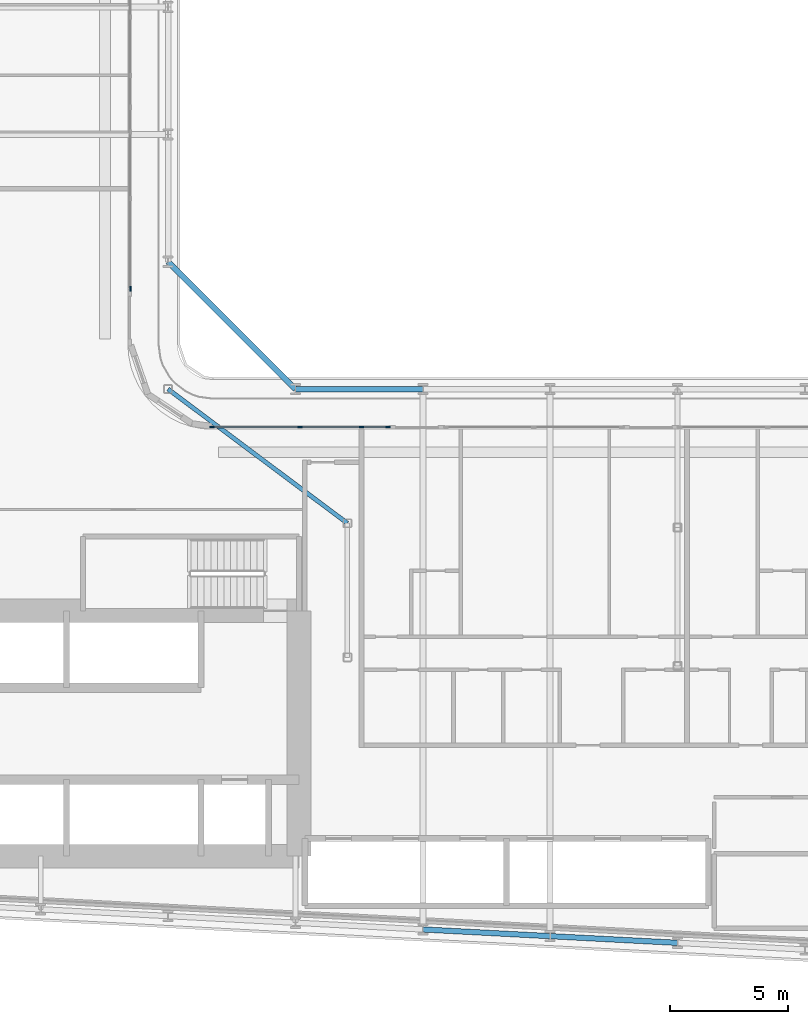
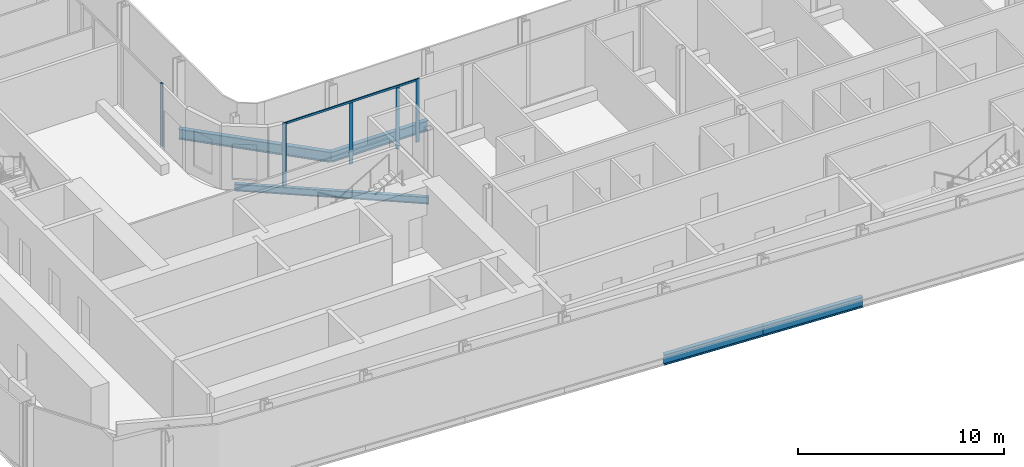
# One storey, part 4 of 25: 6 members, 5 beams, 2 elements without a shape of their own.
"""IFC4 building model written with IfcOpenShell, lengths in metres."""

from ifc_helpers import new_model, si_unit, direction, frame, origin, origin_2d, place, context, subcontext, project, spatial, rectangle, i_section, extrude, material, layer, layer_set, material_profile, profile_set, type_object, element, aggregate, save


model = new_model("IFC4")

# Units and contexts
model_context = context("Model", 3, precision=1e-05, world=origin(), true_north=direction((0.0, 1.0)))
body_context = subcontext(model_context, "Body", "Model", "MODEL_VIEW")
ifc_project = project(units=[si_unit("LENGTHUNIT", "METRE"), si_unit("AREAUNIT", "SQUARE_METRE"), si_unit("VOLUMEUNIT", "CUBIC_METRE"), si_unit("PLANEANGLEUNIT", "RADIAN"), si_unit("MASSUNIT", "GRAM", prefix="KILO")], contexts=[model_context])

# Site, building, storey
site_placement = place(None, origin())
site = spatial("IfcSite", under=ifc_project, at=site_placement, CompositionType="ELEMENT")
building_placement = place(site_placement, origin())
building = spatial("IfcBuilding", under=site, at=building_placement, Name="Kheshtan School and Residences Tower", CompositionType="ELEMENT")
storey_placement = place(building_placement, frame((0.0, 0.0, 34.39990234375)))
storey = spatial("IfcBuildingStorey", under=building, at=storey_placement, Name="L07", CompositionType="ELEMENT", Elevation=34.39990234375)

# Beams
ifc_material_1 = material(Name="Steel ASTM A992 Grade 50", Category="steel")
ifc_material_profile_1 = material_profile(ifc_material_1, i_section(OverallWidth=0.180908203125, OverallDepth=0.4169921875, WebThickness=0.010986328125, FlangeThickness=0.018310546875, FilletRadius=0.012451171875, at=origin_2d()), Name="W410x85")
ifc_profile_set_1 = profile_set([ifc_material_profile_1], Name="Steel ASTM A992 Grade 50")
beam_type_1 = type_object("IfcBeamType", Name="Beam FB3 W410x85 ASTM A992 Grade 50", PredefinedType="BEAM", material=ifc_profile_set_1)
beam_1_placement = place(storey_placement, frame((47.60009765625, 45.60009765625, -0.3583984375), z_axis=(0.800798828004, -0.598933416222, 0.0), x_axis=(0.598933416222, 0.800798828004, 0.0)))
element("IfcBeam", 1, at=beam_1_placement, inside=storey, type_object=beam_type_1, Name="Floor beam IC", PredefinedType="BEAM", context=body_context, shape_type="SweptSolid", body=[
    extrude(i_section(OverallWidth=0.180908203125, OverallDepth=0.4169921875, WebThickness=0.010986328125, FlangeThickness=0.018310546875, FilletRadius=0.012451171875, at=origin_2d()), origin(), (0.0, 0.0, 1.0), 9.490234375),
])
ifc_material_profile_2 = material_profile(ifc_material_1, i_section(OverallWidth=0.22998046875, OverallDepth=0.616943359375, WebThickness=0.01318359375, FlangeThickness=0.022216796875, FilletRadius=0.0185546875, at=origin_2d()), Name="W610x140")
ifc_profile_set_2 = profile_set([ifc_material_profile_2], Name="Steel ASTM A992 Grade 50")
beam_type_2 = type_object("IfcBeamType", Name="Beam SP1 W610x140 ASTM A992 Grade 50", PredefinedType="BEAM", material=ifc_profile_set_2)
beam_2_placement = place(storey_placement, frame((47.60009765625, 51.0, -0.45849609375), z_axis=(0.707106781187, -0.707106781187, 0.0), x_axis=(0.707106781187, 0.707106781187, 0.0)))
element("IfcBeam", 2, at=beam_2_placement, inside=storey, type_object=beam_type_2, Name="Spandrel beam C079-C061", PredefinedType="BEAM", context=body_context, shape_type="SweptSolid", body=[
    extrude(i_section(OverallWidth=0.22998046875, OverallDepth=0.616943359375, WebThickness=0.01318359375, FlangeThickness=0.022216796875, FilletRadius=0.0185546875, at=origin_2d()), origin(), (0.0, 0.0, 1.0), 7.63671875),
])
beam_3_placement = place(storey_placement, frame((53.0, 45.60009765625, -0.45849609375), z_axis=(1.0, 0.0, 0.0), x_axis=(0.0, 1.0, 0.0)))
element("IfcBeam", 3, at=beam_3_placement, inside=storey, type_object=beam_type_2, Name="Spandrel beam C061-C062", PredefinedType="BEAM", context=body_context, shape_type="SweptSolid", body=[
    extrude(i_section(OverallWidth=0.22998046875, OverallDepth=0.616943359375, WebThickness=0.01318359375, FlangeThickness=0.022216796875, FilletRadius=0.0185546875, at=origin_2d()), origin(), (0.0, 0.0, 1.0), 5.39990234375),
])
beam_4_placement = place(storey_placement, frame((69.199951171875, 22.126953125, -0.45849609375), z_axis=(-0.998620447272, 0.05250906864, 0.0), x_axis=(-0.05250906864, -0.998620447272, 0.0)))
element("IfcBeam", 4, at=beam_4_placement, inside=storey, type_object=beam_type_2, Name="Spandrel beam C014-C016", PredefinedType="BEAM", context=body_context, shape_type="SweptSolid", body=[
    extrude(i_section(OverallWidth=0.22998046875, OverallDepth=0.616943359375, WebThickness=0.01318359375, FlangeThickness=0.022216796875, FilletRadius=0.0185546875, at=origin_2d()), origin(), (0.0, 0.0, 1.0), 5.407470703125),
])
beam_5_placement = place(storey_placement, frame((63.800048828125, 22.410888671875, -0.45849609375), z_axis=(-0.998618203458, 0.052551724256, 0.0), x_axis=(-0.052551724256, -0.998618203458, 0.0)))
element("IfcBeam", 5, at=beam_5_placement, inside=storey, type_object=beam_type_2, Name="Spandrel beam C016-C018", PredefinedType="BEAM", context=body_context, shape_type="SweptSolid", body=[
    extrude(i_section(OverallWidth=0.22998046875, OverallDepth=0.616943359375, WebThickness=0.01318359375, FlangeThickness=0.022216796875, FilletRadius=0.0185546875, at=origin_2d()), origin(), (0.0, 0.0, 1.0), 5.40771484375),
])

# Curtain wall, member
ifc_material_2 = material(Name="Clear low-e glass in thermally broken aluminium frame", Category="aluminium")
ifc_layer = layer(ifc_material_2, 0.199951171875)
ifc_layer_set = layer_set([ifc_layer], Name="Curtain wall CW-L")
curtain_wall_type = type_object("IfcCurtainWallType", Name="Curtain wall CW-L", PredefinedType="NOTDEFINED", material=ifc_layer_set)
curtain_wall_1_placement = place(storey_placement, origin())
curtain_wall_1 = element("IfcCurtainWall", 6, at=curtain_wall_1_placement, inside=storey, type_object=curtain_wall_type, Name="Curtain wall CWL8c", PredefinedType="NOTDEFINED")
ifc_material_3 = material(Name="Thermally broken aluminium, dark bronze anodised", Category="aluminium")
ifc_material_profile_3 = material_profile(ifc_material_3, rectangle(XDim=0.06005859375, YDim=0.199951171875, at=origin_2d()), Name="CW-L mullion 60x200")
ifc_profile_set_3 = profile_set([ifc_material_profile_3], Name="Thermally broken aluminium, dark bronze anodised")
member_type_1 = type_object("IfcMemberType", Name="CW-L mullion 60x200", PredefinedType="MULLION", material=ifc_profile_set_3)
member_1_placement = place(storey_placement, frame((46.0, 49.860107421875, 0.0), z_axis=(0.0, 0.0, 1.0), x_axis=(1.0, 0.0, 0.0)))
member_1 = element("IfcMember", 7, at=member_1_placement, type_object=member_type_1, Name="CWL8c mullion 4", PredefinedType="MULLION", context=body_context, shape_type="SweptSolid", body=[
    extrude(rectangle(XDim=0.06005859375, YDim=0.199951171875, at=origin_2d()), origin(), (0.0, 0.0, 1.0), 3.75),
])
aggregate(curtain_wall_1, [member_1])

# Curtain wall, members
curtain_wall_2_placement = place(storey_placement, origin())
curtain_wall_2 = element("IfcCurtainWall", 8, at=curtain_wall_2_placement, inside=storey, type_object=curtain_wall_type, Name="Curtain wall CWL12", PredefinedType="NOTDEFINED")
member_2_placement = place(storey_placement, frame((49.4599609375, 44.0, 0.0), z_axis=(0.0, 0.0, 1.0), x_axis=(0.0, 1.0, 0.0)))
member_2 = element("IfcMember", 9, at=member_2_placement, type_object=member_type_1, Name="CWL12 mullion 1", PredefinedType="MULLION", context=body_context, shape_type="SweptSolid", body=[
    extrude(rectangle(XDim=0.06005859375, YDim=0.199951171875, at=origin_2d()), origin(), (0.0, 0.0, 1.0), 3.75),
])
member_3_placement = place(storey_placement, frame((53.188720703125, 44.0, 0.0), z_axis=(0.0, 0.0, 1.0), x_axis=(0.0, 1.0, 0.0)))
member_3 = element("IfcMember", 10, at=member_3_placement, type_object=member_type_1, Name="CWL12 mullion 2", PredefinedType="MULLION", context=body_context, shape_type="SweptSolid", body=[
    extrude(rectangle(XDim=0.06005859375, YDim=0.199951171875, at=origin_2d()), origin(), (0.0, 0.0, 1.0), 3.630126953125),
])
member_4_placement = place(storey_placement, frame((55.800048828125, 44.0, 0.0), z_axis=(0.0, 0.0, 1.0), x_axis=(0.0, 1.0, 0.0)))
member_4 = element("IfcMember", 11, at=member_4_placement, type_object=member_type_1, Name="CWL12 mullion 3", PredefinedType="MULLION", context=body_context, shape_type="SweptSolid", body=[
    extrude(rectangle(XDim=0.06005859375, YDim=0.199951171875, at=origin_2d()), origin(), (0.0, 0.0, 1.0), 3.630126953125),
])
member_5_placement = place(storey_placement, frame((56.91748046875, 44.0, 0.0), z_axis=(0.0, 0.0, 1.0), x_axis=(0.0, 1.0, 0.0)))
member_5 = element("IfcMember", 12, at=member_5_placement, type_object=member_type_1, Name="CWL12 mullion 4", PredefinedType="MULLION", context=body_context, shape_type="SweptSolid", body=[
    extrude(rectangle(XDim=0.06005859375, YDim=0.199951171875, at=origin_2d()), origin(), (0.0, 0.0, 1.0), 3.75),
])
ifc_material_profile_4 = material_profile(ifc_material_3, rectangle(XDim=0.06005859375, YDim=0.1201171875, at=origin_2d()), Name="CW-L transom 60x120")
ifc_profile_set_4 = profile_set([ifc_material_profile_4], Name="Thermally broken aluminium, dark bronze anodised")
member_type_2 = type_object("IfcMemberType", Name="CW-L transom 60x120", PredefinedType="USERDEFINED", material=ifc_profile_set_4)
member_6_placement = place(storey_placement, frame((49.489990234375, 44.0, 3.690185546875), z_axis=(1.0, 0.0, 0.0), x_axis=(0.0, 1.0, 0.0)))
member_6 = element("IfcMember", 13, at=member_6_placement, type_object=member_type_2, Name="CWL12 transom 1", ObjectType="TRANSOM", PredefinedType="USERDEFINED", context=body_context, shape_type="SweptSolid", body=[
    extrude(rectangle(XDim=0.06005859375, YDim=0.1201171875, at=origin_2d()), origin(), (0.0, 0.0, 1.0), 7.3974609375),
])
aggregate(curtain_wall_2, [member_2, member_3, member_4, member_5, member_6])

save(model, "model.ifc")
